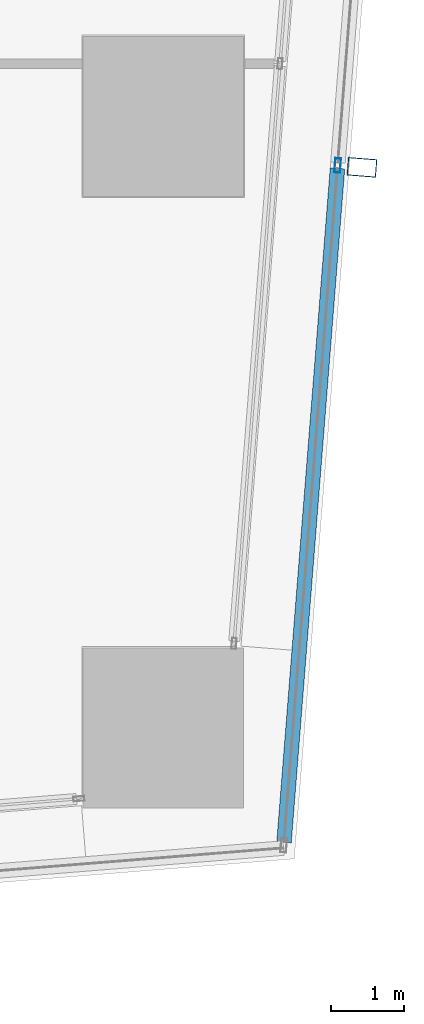
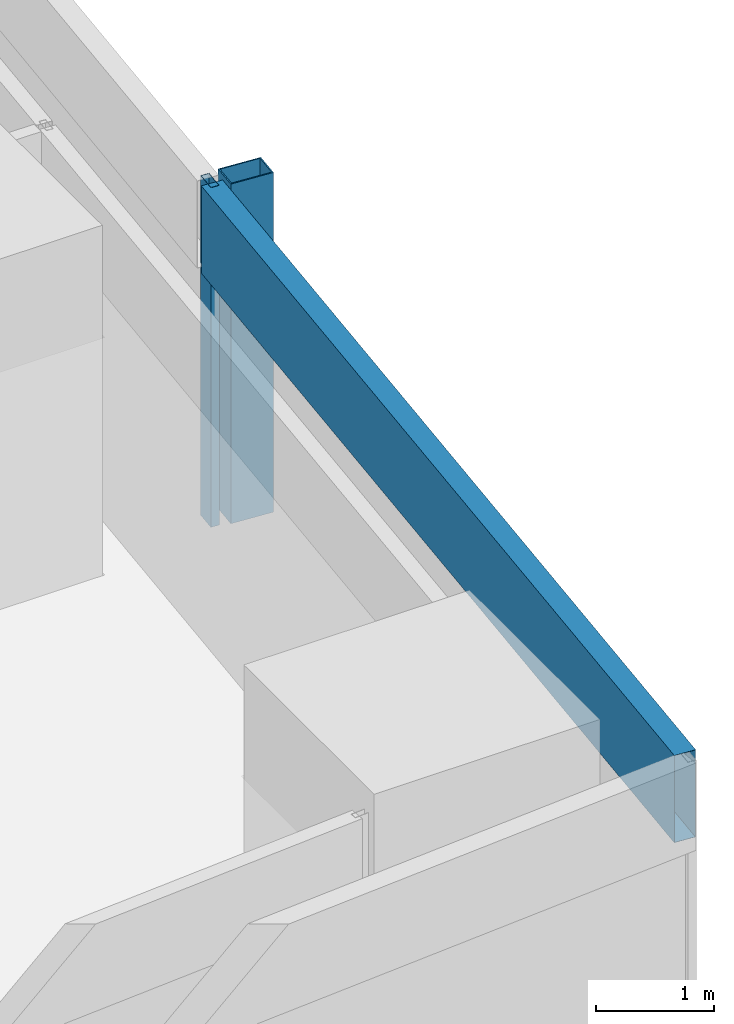
# One storey, part 25 of 44: 3 members, 1 element without a shape of its own.
"""IFC4 building model written with IfcOpenShell, lengths in metres."""

from ifc_helpers import new_model, si_unit, direction, frame, origin, origin_2d, place, context, subcontext, project, spatial, hollow_rectangle, extrude, material, material_profile, profile_set, type_object, element, aggregate, save


model = new_model("IFC4")

# Units and contexts
model_context = context("Model", 3, precision=1e-05, world=origin(), true_north=direction((0.0, 1.0)))
body_context = subcontext(model_context, "Body", "Model", "MODEL_VIEW")
ifc_project = project(units=[si_unit("LENGTHUNIT", "METRE"), si_unit("AREAUNIT", "SQUARE_METRE"), si_unit("VOLUMEUNIT", "CUBIC_METRE"), si_unit("PLANEANGLEUNIT", "RADIAN"), si_unit("MASSUNIT", "GRAM", prefix="KILO")], contexts=[model_context])

# Site, building, storey
site_placement = place(None, origin())
site = spatial("IfcSite", under=ifc_project, at=site_placement, CompositionType="ELEMENT")
building_placement = place(site_placement, origin())
building = spatial("IfcBuilding", under=site, at=building_placement, Name="Rekha Terrace Tower", CompositionType="ELEMENT")
storey_placement = place(building_placement, frame((0.0, 0.0, 47.89990234375)))
storey = spatial("IfcBuildingStorey", under=building, at=storey_placement, Name="L11", CompositionType="ELEMENT", Elevation=47.89990234375)

# Curtain wall, members
ifc_material_1 = material(Name="Aluminium framing", Category="aluminium")
curtain_wall_type = type_object("IfcCurtainWallType", Name="CW2 double skin outer glazing", PredefinedType="USERDEFINED", material=ifc_material_1)
curtain_wall_placement = place(storey_placement, origin())
curtain_wall = element("IfcCurtainWall", 1, at=curtain_wall_placement, inside=storey, type_object=curtain_wall_type, Name="CW2 double skin outer glazing", ObjectType="DOUBLE SKIN OUTER GLAZING", PredefinedType="USERDEFINED")
ifc_material_2 = material(Name="Steel S355 with fluorocarbon finish", Category="steel")
ifc_material_profile_1 = material_profile(ifc_material_2, hollow_rectangle(XDim=0.25, YDim=0.39990234375, WallThickness=0.012451171875, at=origin_2d()), Name="RHS400x250x12.5")
ifc_profile_set_1 = profile_set([ifc_material_profile_1], Name="Steel S355 with fluorocarbon finish")
member_type_1 = type_object("IfcMemberType", Name="BL1 facade blade RHS 400 x 250", PredefinedType="USERDEFINED", material=ifc_profile_set_1)
member_1_placement = place(storey_placement, frame((69.929443359375, 16.099365234375, 0.0), z_axis=(0.0, 0.0, 1.0), x_axis=(0.079116779322, 0.996865354614, 0.0)))
member_1 = element("IfcMember", 2, at=member_1_placement, type_object=member_type_1, Name="Facade blade", ObjectType="FACADE BLADE", PredefinedType="USERDEFINED", context=body_context, shape_type="SweptSolid", body=[
    extrude(hollow_rectangle(XDim=0.25, YDim=0.39990234375, WallThickness=0.012451171875, at=origin_2d()), origin(), (0.0, 0.0, 1.0), 3.5),
])
ifc_material_3 = material(Name="Aluminium mullion section", Category="aluminium")
ifc_material_profile_2 = material_profile(ifc_material_3, hollow_rectangle(XDim=0.080078125, YDim=0.199951171875, WallThickness=0.00390625, at=origin_2d()), Name="AL RHS 80x200")
ifc_profile_set_2 = profile_set([ifc_material_profile_2], Name="Aluminium mullion section")
member_type_2 = type_object("IfcMemberType", Name="CW2 mullion RHS 80 x 200", PredefinedType="MULLION", material=ifc_profile_set_2)
member_2_placement = place(storey_placement, frame((69.595458984375, 16.125732421875, 0.0), z_axis=(0.0, 0.0, 1.0), x_axis=(-0.996865392575, 0.079116301017, 0.0)))
member_2 = element("IfcMember", 3, at=member_2_placement, type_object=member_type_2, Name="CW2 mullion 2", PredefinedType="MULLION", context=body_context, shape_type="SweptSolid", body=[
    extrude(hollow_rectangle(XDim=0.080078125, YDim=0.199951171875, WallThickness=0.00390625, at=origin_2d()), origin(), (0.0, 0.0, 1.0), 3.5),
])
ifc_material_4 = material(Name="Insulated aluminium spandrel box", Category="aluminium")
ifc_material_profile_3 = material_profile(ifc_material_4, hollow_rectangle(XDim=0.199951171875, YDim=0.89990234375, WallThickness=0.0029296875, at=origin_2d()), Name="AL SPANDREL BOX 200x900")
ifc_profile_set_3 = profile_set([ifc_material_profile_3], Name="Insulated aluminium spandrel box")
member_type_3 = type_object("IfcMemberType", Name="CW2 spandrel transom 200 x 900", PredefinedType="USERDEFINED", material=ifc_profile_set_3)
member_3_placement = place(storey_placement, frame((68.857666015625, 6.828369140625, 3.050048828125), z_axis=(0.079104689968, 0.996866314019, 0.0), x_axis=(-0.996866314019, 0.079104689968, 0.0)))
member_3 = element("IfcMember", 4, at=member_3_placement, type_object=member_type_3, Name="CW2 spandrel transom 1", ObjectType="TRANSOM", PredefinedType="USERDEFINED", context=body_context, shape_type="SweptSolid", body=[
    extrude(hollow_rectangle(XDim=0.199951171875, YDim=0.89990234375, WallThickness=0.0029296875, at=origin_2d()), origin(), (0.0, 0.0, 1.0), 9.28662109375),
])
aggregate(curtain_wall, [member_2, member_3, member_1])

save(model, "model.ifc")
